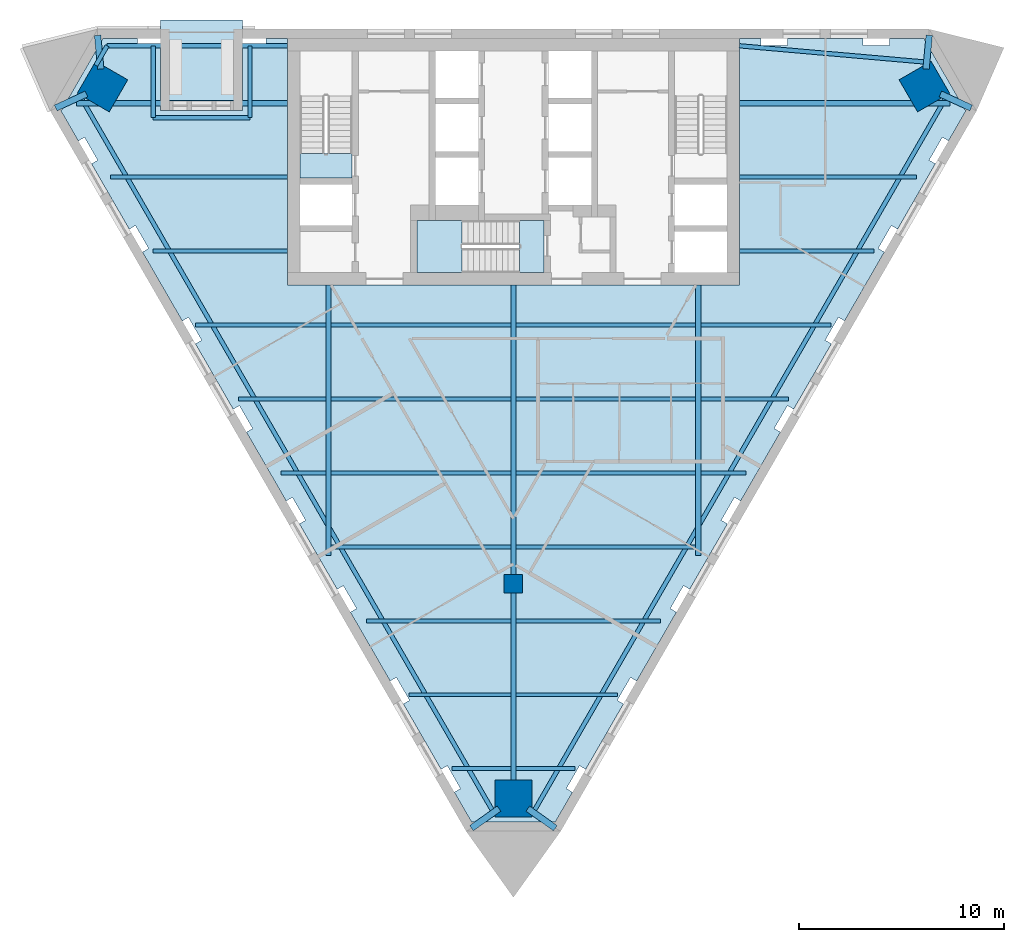
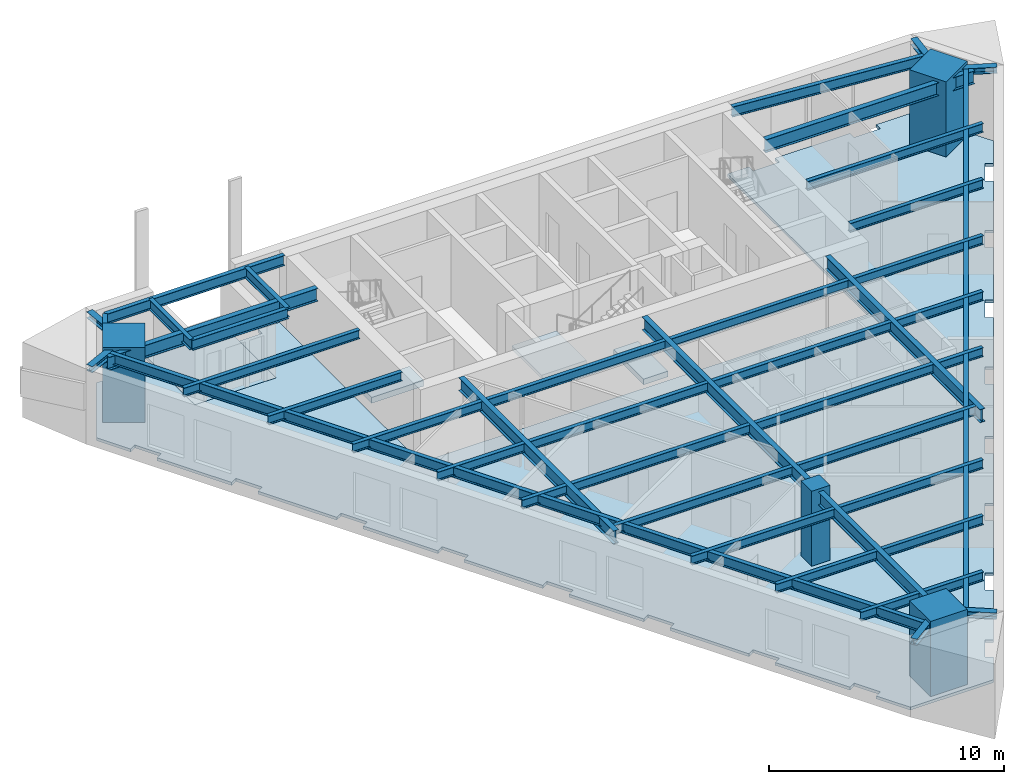
# One storey, part 1 of 8: 44 beams, 5 slabs, 4 columns, 1 element without a shape of its own.
"""IFC4 building model written with IfcOpenShell, lengths in metres."""

import ifcopenshell
import ifcopenshell.guid

model = None  # the IFC model being written
_history = None  # IfcOwnerHistory: only IFC2X3 demands one
_inside = {}  # id of a spatial element -> (the spatial element, [elements in it])
_under = {}  # id of a project, library or spatial element -> (it, [spatial elements below it])
_declared = {}  # id of a project -> (the project, [libraries it declares])
_typed = {}  # id of a type object -> (the type object, [elements of that type])
_made_of = {}  # id of a material, layer set ... -> (it, [elements and type objects made of it])


def new_model(schema):
    """Start an empty IFC model of exactly this schema.

    Asked for "IFC4X3", IfcOpenShell would pick the latest addendum, in which some entities
    have other attributes; the version numbers below select the first issue.
    IFC2X3 requires an IfcOwnerHistory on every rooted entity: one is made here for all.
    """
    global model, _history
    if schema == "IFC4X3":
        model = ifcopenshell.file(schema_version=(4, 3, 0, 0))
    else:
        model = ifcopenshell.file(schema=schema)
    _inside.clear()
    _under.clear()
    _declared.clear()
    _typed.clear()
    _made_of.clear()
    _history = None
    if model.schema == "IFC2X3":
        org = make("IfcOrganization", Name="unknown")
        user = make(
            "IfcPersonAndOrganization",
            ThePerson=make("IfcPerson", FamilyName="unknown"),
            TheOrganization=org,
        )
        app = make(
            "IfcApplication",
            ApplicationDeveloper=org,
            Version="unknown",
            ApplicationFullName="unknown",
            ApplicationIdentifier="unknown",
        )
        _history = make(
            "IfcOwnerHistory",
            OwningUser=user,
            OwningApplication=app,
            ChangeAction="ADDED",
            CreationDate=0,
        )
    return model


def make(cls, **values):
    """One entity of the class cls with the attributes given. An attribute that is None is left unset."""
    return model.create_entity(
        cls, **{name: value for name, value in values.items() if value is not None}
    )


def rooted(cls, **values):
    """An entity with a GlobalId (a new one), such as an element, a storey or a relation."""
    return make(cls, GlobalId=ifcopenshell.guid.new(), OwnerHistory=_history, **values)


def si_unit(unit_type, name, prefix=None):
    """IfcSIUnit, for example si_unit("LENGTHUNIT", "METRE", prefix="MILLI")."""
    return make("IfcSIUnit", UnitType=unit_type, Prefix=prefix, Name=name)


def assignment(units):
    """IfcUnitAssignment: the units of a project."""
    return None if units is None else make("IfcUnitAssignment", Units=units)


def point(xyz):
    """IfcCartesianPoint."""
    return None if xyz is None else make("IfcCartesianPoint", Coordinates=xyz)


def direction(xyz):
    """IfcDirection."""
    return None if xyz is None else make("IfcDirection", DirectionRatios=xyz)


def frame(location, z_axis=None, x_axis=None):
    """IfcAxis2Placement3D, a coordinate frame: its origin and axes. An axis left out is left unset."""
    return make(
        "IfcAxis2Placement3D",
        Location=point(location),
        Axis=direction(z_axis),
        RefDirection=direction(x_axis),
    )


def frame_2d(location, x_axis=None):
    """IfcAxis2Placement2D, a coordinate frame in the plane: its origin and x axis."""
    return make(
        "IfcAxis2Placement2D", Location=point(location), RefDirection=direction(x_axis)
    )


def origin():
    """The frame at (0, 0, 0) with its axes left unset."""
    return frame((0.0, 0.0, 0.0))


def origin_2d():
    """The frame at (0, 0) in the plane with its x axis left unset."""
    return frame_2d((0.0, 0.0))


def place(relative_to, where):
    """IfcLocalPlacement: puts the frame where relative to a parent placement (None: the world)."""
    return make(
        "IfcLocalPlacement", PlacementRelTo=relative_to, RelativePlacement=where
    )


def context(
    kind, dimensions, precision=None, world=None, true_north=None, identifier=None
):
    """IfcGeometricRepresentationContext, for example the 3D "Model" context."""
    return make(
        "IfcGeometricRepresentationContext",
        ContextIdentifier=identifier,
        ContextType=kind,
        CoordinateSpaceDimension=dimensions,
        Precision=precision,
        WorldCoordinateSystem=world,
        TrueNorth=true_north,
    )


def subcontext(parent, identifier, kind, view, scale=None):
    """IfcGeometricRepresentationSubContext, for example "Body" below "Model"."""
    return make(
        "IfcGeometricRepresentationSubContext",
        ContextIdentifier=identifier,
        ContextType=kind,
        ParentContext=parent,
        TargetScale=scale,
        TargetView=view,
    )


def project(units=None, contexts=None):
    """IfcProject with its units and contexts."""
    return rooted(
        "IfcProject",
        Name="project",
        RepresentationContexts=contexts,
        UnitsInContext=assignment(units),
    )


def spatial(cls, under=None, at=None, **own):
    """A site, building, storey or space (cls), placed at a placement, below another one or the project."""
    s = rooted(cls, ObjectPlacement=at, **own)
    if under is not None:
        _under.setdefault(under.id(), (under, []))[1].append(s)
    return s


def polyline(points):
    """IfcPolyline through the points."""
    return make("IfcPolyline", Points=[point(p) for p in points])


def profile(cls, at=None, kind="AREA", **sizes):
    """A parametric profile (cls). Its sizes go by their IFC names, for example OverallWidth=200.0."""
    return make(cls, ProfileType=kind, Position=at, **sizes)


def rectangle(**sizes):
    """IfcRectangleProfileDef."""
    return profile("IfcRectangleProfileDef", **sizes)


def i_section(**sizes):
    """IfcIShapeProfileDef."""
    return profile("IfcIShapeProfileDef", **sizes)


def outline(outer, holes=None, kind="AREA"):
    """IfcArbitraryClosedProfileDef: a profile drawn as a closed curve; with holes, ...WithVoids."""
    if holes is None:
        return make("IfcArbitraryClosedProfileDef", ProfileType=kind, OuterCurve=outer)
    return make(
        "IfcArbitraryProfileDefWithVoids",
        ProfileType=kind,
        OuterCurve=outer,
        InnerCurves=holes,
    )


def extrude(swept, where, along, depth):
    """IfcExtrudedAreaSolid: the profile swept, set in the frame where, extruded along a direction by depth."""
    return make(
        "IfcExtrudedAreaSolid",
        SweptArea=swept,
        Position=where,
        ExtrudedDirection=direction(along),
        Depth=depth,
    )


def shape(context_of_items, identifier, shape_type, items):
    """IfcShapeRepresentation: the items that make up one representation, for example the "Body"."""
    return make(
        "IfcShapeRepresentation",
        ContextOfItems=context_of_items,
        RepresentationIdentifier=identifier,
        RepresentationType=shape_type,
        Items=items,
    )


def material(Name=None, Category=None):
    """IfcMaterial."""
    return make("IfcMaterial", Name=Name, Category=Category)


def layer(
    of_material, thickness, ventilated=None, Name=None, Category=None, Priority=None
):
    """IfcMaterialLayer: one layer of a wall or slab, of a material (None: an air gap)."""
    return make(
        "IfcMaterialLayer",
        Material=of_material,
        LayerThickness=thickness,
        IsVentilated=ventilated,
        Name=Name,
        Category=Category,
        Priority=Priority,
    )


def layer_set(layers, Name=None):
    """IfcMaterialLayerSet."""
    return make("IfcMaterialLayerSet", MaterialLayers=layers, LayerSetName=Name)


def material_profile(
    of_material, cross_section, Name=None, Category=None, Priority=None
):
    """IfcMaterialProfile: a cross section and its material."""
    return make(
        "IfcMaterialProfile",
        Name=Name,
        Material=of_material,
        Profile=cross_section,
        Priority=Priority,
        Category=Category,
    )


def profile_set(profiles, Name=None, composite=None):
    """IfcMaterialProfileSet."""
    return make(
        "IfcMaterialProfileSet",
        Name=Name,
        MaterialProfiles=profiles,
        CompositeProfile=composite,
    )


def made_of(thing, what):
    """Note that an element or type object is made of a material, layer set ...; save() writes the relation."""
    if what is not None:
        _made_of.setdefault(what.id(), (what, []))[1].append(thing)
    return thing


def type_object(cls, material=None, **own):
    """A type object (cls), such as IfcWallType, which elements share."""
    return made_of(rooted(cls, **own), material)


def element(
    cls,
    number,
    at=None,
    inside=None,
    cuts=None,
    type_object=None,
    material=None,
    context=None,
    identifier="Body",
    shape_type=None,
    held_by="IfcProductDefinitionShape",
    body=None,
    shapes=None,
    **own,
):
    """One element of the class cls, such as IfcWall. Its Tag is "e" and its number.

    at: its placement. inside: the storey or other place that contains it. cuts: it is an
    opening in that element (IfcRelVoidsElement). A single representation is given by context,
    identifier, shape_type and body (its items); several are given by shapes. held_by: the class
    of the entity that holds the representations. save() writes the other relations.
    """
    e = rooted(cls, Tag="e%d" % number, ObjectPlacement=at, **own)
    if body is not None:
        shapes = [shape(context, identifier, shape_type, body)]
    if shapes is not None:
        e.Representation = make(held_by, Representations=shapes)
    if inside is not None:
        _inside.setdefault(inside.id(), (inside, []))[1].append(e)
    if cuts is not None:
        rooted(
            "IfcRelVoidsElement", RelatingBuildingElement=cuts, RelatedOpeningElement=e
        )
    if type_object is not None:
        _typed.setdefault(type_object.id(), (type_object, []))[1].append(e)
    return made_of(e, material)


def aggregate(whole, parts):
    """IfcRelAggregates: a whole, such as a stair, and the parts it consists of."""
    return rooted("IfcRelAggregates", RelatingObject=whole, RelatedObjects=parts)


def save(model, path):
    """Write the relations noted so far, then the file.

    IfcRelAggregates (storeys below a building ...), IfcRelContainedInSpatialStructure (elements
    in a storey), IfcRelDefinesByType, IfcRelAssociatesMaterial and IfcRelDeclares: one each for
    every whole, place, type object, material and project.
    """
    for whole, parts in _under.values():
        aggregate(whole, parts)
    for where, things in _inside.values():
        rooted(
            "IfcRelContainedInSpatialStructure",
            RelatedElements=things,
            RelatingStructure=where,
        )
    for kind, things in _typed.values():
        rooted("IfcRelDefinesByType", RelatedObjects=things, RelatingType=kind)
    for what, things in _made_of.values():
        rooted("IfcRelAssociatesMaterial", RelatedObjects=things, RelatingMaterial=what)
    for by, libraries in _declared.values():
        rooted("IfcRelDeclares", RelatingContext=by, RelatedDefinitions=libraries)
    model.write(path)


model = new_model("IFC4")

# Units and contexts
model_context = context("Model", 3, precision=1e-05, world=origin(), true_north=direction((0.0, 1.0)))
body_context = subcontext(model_context, "Body", "Model", "MODEL_VIEW")
ifc_project = project(units=[si_unit("LENGTHUNIT", "METRE"), si_unit("AREAUNIT", "SQUARE_METRE"), si_unit("VOLUMEUNIT", "CUBIC_METRE"), si_unit("PLANEANGLEUNIT", "RADIAN"), si_unit("MASSUNIT", "GRAM", prefix="KILO")], contexts=[model_context])

# Site, building, storey
site_placement = place(None, origin())
site = spatial("IfcSite", under=ifc_project, at=site_placement, CompositionType="ELEMENT")
building_placement = place(site_placement, origin())
building = spatial("IfcBuilding", under=site, at=building_placement, Name="Aloe Facet Convention Tower", CompositionType="ELEMENT")
storey_placement = place(building_placement, frame((0.0, 0.0, 140.300048828125)))
storey = spatial("IfcBuildingStorey", under=building, at=storey_placement, Name="L35", CompositionType="ELEMENT", Elevation=140.300048828125)

# Columns
ifc_material_1 = material(Name="Concrete C70/85", Category="concrete")
ifc_material_profile_1 = material_profile(ifc_material_1, rectangle(XDim=0.89990234375, YDim=0.89990234375, at=origin_2d()), Name="SF-GC-Z3")
ifc_profile_set_1 = profile_set([ifc_material_profile_1], Name="Concrete C70/85")
column_type_1 = type_object("IfcColumnType", Name="SF-GC-Z3", PredefinedType="COLUMN", material=ifc_profile_set_1)
column_placement = place(storey_placement, frame((80.0, 108.0, 0.0), z_axis=(0.0, 0.0, 1.0), x_axis=(1.0, 0.0, 0.0)))
element("IfcColumn", 1, at=column_placement, inside=storey, type_object=column_type_1, Name="Gravity column GC-Z3-9D", PredefinedType="COLUMN", context=body_context, shape_type="SweptSolid", body=[
    extrude(rectangle(XDim=0.89990234375, YDim=0.89990234375, at=origin_2d()), origin(), (0.0, 0.0, 1.0), 3.89990234375),
])
ifc_material_2 = material(Name="Concrete C80/95", Category="concrete")
ifc_material_profile_2 = material_profile(ifc_material_2, rectangle(XDim=1.800048828125, YDim=1.800048828125, at=origin_2d()), Name="STW-MC-Z3")
ifc_profile_set_2 = profile_set([ifc_material_profile_2], Name="Concrete C80/95")
column_type_2 = type_object("IfcColumnType", Name="STW-MC-Z3", PredefinedType="COLUMN", material=ifc_profile_set_2)
for number, where, z_axis, x_axis, name in (
    (2, (100.00732421875, 132.208251953125, 0.0), (0.0, 0.0, 1.0), (-0.5, 0.866025403784, 0.0), "Mega-column MC-NE-L35"),
    (3, (59.99267578125, 132.208251953125, 0.0), (0.0, 0.0, 1.0), (-0.5, -0.866025403784, 0.0), "Mega-column MC-NW-L35"),
    (4, (80.0, 97.55419921875, 0.0), (0.0, 0.0, 1.0), (1.0, 0.0, 0.0), "Mega-column MC-S-L35"),
):
    element("IfcColumn", number, at=place(storey_placement, frame(where, z_axis=z_axis, x_axis=x_axis)), inside=storey, type_object=column_type_2, Name=name, PredefinedType="COLUMN", context=body_context, shape_type="SweptSolid", body=[
        extrude(rectangle(XDim=1.800048828125, YDim=1.800048828125, at=origin_2d()), origin(), (0.0, 0.0, 1.0), 3.89990234375),
    ])

# Beams
ifc_material_3 = material(Name="Steel S355", Category="steel")
ifc_material_profile_3 = material_profile(ifc_material_3, i_section(OverallWidth=0.19140625, OverallDepth=0.4599609375, WebThickness=0.010009765625, FlangeThickness=0.01611328125, FilletRadius=0.01025390625, at=origin_2d()), Name="UB 457x191x82")
ifc_profile_set_3 = profile_set([ifc_material_profile_3], Name="Steel S355")
beam_type_1 = type_object("IfcBeamType", Name="SF-B-UB457x191x82", PredefinedType="BEAM", material=ifc_profile_set_3)
beam_1_placement = place(storey_placement, frame((60.373779296875, 127.800048828125, 3.52001953125), z_axis=(1.0, 0.0, 0.0), x_axis=(0.0, 1.0, 0.0)))
element("IfcBeam", 5, at=beam_1_placement, inside=storey, type_object=beam_type_1, Name="Floor beam FB-Z3E-015", PredefinedType="BEAM", context=body_context, shape_type="SweptSolid", body=[
    extrude(i_section(OverallWidth=0.19140625, OverallDepth=0.4599609375, WebThickness=0.010009765625, FlangeThickness=0.01611328125, FilletRadius=0.01025390625, at=origin_2d()), origin(), (0.0, 0.0, 1.0), 8.626220703125),
])
beam_2_placement = place(storey_placement, frame((62.452392578125, 124.199951171875, 3.52001953125), z_axis=(1.0, 0.0, 0.0), x_axis=(0.0, 1.0, 0.0)))
element("IfcBeam", 6, at=beam_2_placement, inside=storey, type_object=beam_type_1, Name="Floor beam FB-Z3E-016", PredefinedType="BEAM", context=body_context, shape_type="SweptSolid", body=[
    extrude(i_section(OverallWidth=0.19140625, OverallDepth=0.4599609375, WebThickness=0.010009765625, FlangeThickness=0.01611328125, FilletRadius=0.01025390625, at=origin_2d()), origin(), (0.0, 0.0, 1.0), 6.547607421875),
])
beam_3_placement = place(storey_placement, frame((64.53076171875, 120.60009765625, 3.52001953125), z_axis=(1.0, 0.0, 0.0), x_axis=(0.0, 1.0, 0.0)))
element("IfcBeam", 7, at=beam_3_placement, inside=storey, type_object=beam_type_1, Name="Floor beam FB-Z3E-017", PredefinedType="BEAM", context=body_context, shape_type="SweptSolid", body=[
    extrude(i_section(OverallWidth=0.19140625, OverallDepth=0.4599609375, WebThickness=0.010009765625, FlangeThickness=0.01611328125, FilletRadius=0.01025390625, at=origin_2d()), origin(), (0.0, 0.0, 1.0), 6.3427734375),
])
beam_4_placement = place(storey_placement, frame((66.609130859375, 117.0, 3.52001953125), z_axis=(1.0, 0.0, 0.0), x_axis=(0.0, 1.0, 0.0)))
element("IfcBeam", 8, at=beam_4_placement, inside=storey, type_object=beam_type_1, Name="Floor beam FB-Z3E-018", PredefinedType="BEAM", context=body_context, shape_type="SweptSolid", body=[
    extrude(i_section(OverallWidth=0.19140625, OverallDepth=0.4599609375, WebThickness=0.010009765625, FlangeThickness=0.01611328125, FilletRadius=0.01025390625, at=origin_2d()), origin(), (0.0, 0.0, 1.0), 4.264404296875),
])
beam_5_placement = place(storey_placement, frame((68.687744140625, 113.39990234375, 3.52001953125), z_axis=(1.0, 0.0, 0.0), x_axis=(0.0, 1.0, 0.0)))
element("IfcBeam", 9, at=beam_5_placement, inside=storey, type_object=beam_type_1, Name="Floor beam FB-Z3E-019", PredefinedType="BEAM", context=body_context, shape_type="SweptSolid", body=[
    extrude(i_section(OverallWidth=0.19140625, OverallDepth=0.4599609375, WebThickness=0.010009765625, FlangeThickness=0.01611328125, FilletRadius=0.01025390625, at=origin_2d()), origin(), (0.0, 0.0, 1.0), 2.185791015625),
])
for number, where, z_axis, x_axis, name in (
    (10, (71.12646484375, 109.800048828125, 3.52001953125), (1.0, 0.0, 0.0), (0.0, 1.0, 0.0), "Floor beam FB-Z3E-020"),
    (11, (71.12646484375, 113.39990234375, 3.52001953125), (1.0, 0.0, 0.0), (0.0, 1.0, 0.0), "Floor beam FB-Z3E-021"),
    (12, (71.12646484375, 117.0, 3.52001953125), (1.0, 0.0, 0.0), (0.0, 1.0, 0.0), "Floor beam FB-Z3E-022"),
    (13, (71.12646484375, 120.60009765625, 3.52001953125), (1.0, 0.0, 0.0), (0.0, 1.0, 0.0), "Floor beam FB-Z3E-023"),
):
    element("IfcBeam", number, at=place(storey_placement, frame(where, z_axis=z_axis, x_axis=x_axis)), inside=storey, type_object=beam_type_1, Name=name, PredefinedType="BEAM", context=body_context, shape_type="SweptSolid", body=[
        extrude(i_section(OverallWidth=0.19140625, OverallDepth=0.4599609375, WebThickness=0.010009765625, FlangeThickness=0.01611328125, FilletRadius=0.01025390625, at=origin_2d()), origin(), (0.0, 0.0, 1.0), 8.7470703125),
    ])
beam_6_placement = place(storey_placement, frame((72.844482421875, 106.199951171875, 3.52001953125), z_axis=(1.0, 0.0, 0.0), x_axis=(0.0, 1.0, 0.0)))
element("IfcBeam", 14, at=beam_6_placement, inside=storey, type_object=beam_type_1, Name="Floor beam FB-Z3E-024", PredefinedType="BEAM", context=body_context, shape_type="SweptSolid", body=[
    extrude(i_section(OverallWidth=0.19140625, OverallDepth=0.4599609375, WebThickness=0.010009765625, FlangeThickness=0.01611328125, FilletRadius=0.01025390625, at=origin_2d()), origin(), (0.0, 0.0, 1.0), 7.029052734375),
])
beam_7_placement = place(storey_placement, frame((74.923095703125, 102.60009765625, 3.52001953125), z_axis=(1.0, 0.0, 0.0), x_axis=(0.0, 1.0, 0.0)))
element("IfcBeam", 15, at=beam_7_placement, inside=storey, type_object=beam_type_1, Name="Floor beam FB-Z3E-025", PredefinedType="BEAM", context=body_context, shape_type="SweptSolid", body=[
    extrude(i_section(OverallWidth=0.19140625, OverallDepth=0.4599609375, WebThickness=0.010009765625, FlangeThickness=0.01611328125, FilletRadius=0.01025390625, at=origin_2d()), origin(), (0.0, 0.0, 1.0), 4.950439453125),
])
for number, where, z_axis, x_axis, name in (
    (16, (77.00146484375, 99.0, 3.52001953125), (1.0, 0.0, 0.0), (0.0, 1.0, 0.0), "Floor beam FB-Z3E-026"),
    (17, (80.12646484375, 99.0, 3.52001953125), (1.0, 0.0, 0.0), (0.0, 1.0, 0.0), "Floor beam FB-Z3E-027"),
):
    element("IfcBeam", number, at=place(storey_placement, frame(where, z_axis=z_axis, x_axis=x_axis)), inside=storey, type_object=beam_type_1, Name=name, PredefinedType="BEAM", context=body_context, shape_type="SweptSolid", body=[
        extrude(i_section(OverallWidth=0.19140625, OverallDepth=0.4599609375, WebThickness=0.010009765625, FlangeThickness=0.01611328125, FilletRadius=0.01025390625, at=origin_2d()), origin(), (0.0, 0.0, 1.0), 2.8720703125),
    ])
beam_8_placement = place(storey_placement, frame((80.12646484375, 102.60009765625, 3.52001953125), z_axis=(1.0, 0.0, 0.0), x_axis=(0.0, 1.0, 0.0)))
element("IfcBeam", 18, at=beam_8_placement, inside=storey, type_object=beam_type_1, Name="Floor beam FB-Z3E-028", PredefinedType="BEAM", context=body_context, shape_type="SweptSolid", body=[
    extrude(i_section(OverallWidth=0.19140625, OverallDepth=0.4599609375, WebThickness=0.010009765625, FlangeThickness=0.01611328125, FilletRadius=0.01025390625, at=origin_2d()), origin(), (0.0, 0.0, 1.0), 4.950439453125),
])
beam_9_placement = place(storey_placement, frame((80.12646484375, 106.199951171875, 3.52001953125), z_axis=(1.0, 0.0, 0.0), x_axis=(0.0, 1.0, 0.0)))
element("IfcBeam", 19, at=beam_9_placement, inside=storey, type_object=beam_type_1, Name="Floor beam FB-Z3E-029", PredefinedType="BEAM", context=body_context, shape_type="SweptSolid", body=[
    extrude(i_section(OverallWidth=0.19140625, OverallDepth=0.4599609375, WebThickness=0.010009765625, FlangeThickness=0.01611328125, FilletRadius=0.01025390625, at=origin_2d()), origin(), (0.0, 0.0, 1.0), 7.029052734375),
])
for number, where, z_axis, x_axis, name in (
    (20, (80.12646484375, 109.800048828125, 3.52001953125), (1.0, 0.0, 0.0), (0.0, 1.0, 0.0), "Floor beam FB-Z3E-030"),
    (21, (80.12646484375, 113.39990234375, 3.52001953125), (1.0, 0.0, 0.0), (0.0, 1.0, 0.0), "Floor beam FB-Z3E-031"),
    (22, (80.12646484375, 117.0, 3.52001953125), (1.0, 0.0, 0.0), (0.0, 1.0, 0.0), "Floor beam FB-Z3E-032"),
    (23, (80.12646484375, 120.60009765625, 3.52001953125), (1.0, 0.0, 0.0), (0.0, 1.0, 0.0), "Floor beam FB-Z3E-033"),
):
    element("IfcBeam", number, at=place(storey_placement, frame(where, z_axis=z_axis, x_axis=x_axis)), inside=storey, type_object=beam_type_1, Name=name, PredefinedType="BEAM", context=body_context, shape_type="SweptSolid", body=[
        extrude(i_section(OverallWidth=0.19140625, OverallDepth=0.4599609375, WebThickness=0.010009765625, FlangeThickness=0.01611328125, FilletRadius=0.01025390625, at=origin_2d()), origin(), (0.0, 0.0, 1.0), 8.7470703125),
    ])
beam_10_placement = place(storey_placement, frame((89.12646484375, 113.39990234375, 3.52001953125), z_axis=(1.0, 0.0, 0.0), x_axis=(0.0, 1.0, 0.0)))
element("IfcBeam", 24, at=beam_10_placement, inside=storey, type_object=beam_type_1, Name="Floor beam FB-Z3E-034", PredefinedType="BEAM", context=body_context, shape_type="SweptSolid", body=[
    extrude(i_section(OverallWidth=0.19140625, OverallDepth=0.4599609375, WebThickness=0.010009765625, FlangeThickness=0.01611328125, FilletRadius=0.01025390625, at=origin_2d()), origin(), (0.0, 0.0, 1.0), 2.185791015625),
])
beam_11_placement = place(storey_placement, frame((89.12646484375, 117.0, 3.52001953125), z_axis=(1.0, 0.0, 0.0), x_axis=(0.0, 1.0, 0.0)))
element("IfcBeam", 25, at=beam_11_placement, inside=storey, type_object=beam_type_1, Name="Floor beam FB-Z3E-035", PredefinedType="BEAM", context=body_context, shape_type="SweptSolid", body=[
    extrude(i_section(OverallWidth=0.19140625, OverallDepth=0.4599609375, WebThickness=0.010009765625, FlangeThickness=0.01611328125, FilletRadius=0.01025390625, at=origin_2d()), origin(), (0.0, 0.0, 1.0), 4.264404296875),
])
beam_12_placement = place(storey_placement, frame((89.12646484375, 120.60009765625, 3.52001953125), z_axis=(1.0, 0.0, 0.0), x_axis=(0.0, 1.0, 0.0)))
element("IfcBeam", 26, at=beam_12_placement, inside=storey, type_object=beam_type_1, Name="Floor beam FB-Z3E-036", PredefinedType="BEAM", context=body_context, shape_type="SweptSolid", body=[
    extrude(i_section(OverallWidth=0.19140625, OverallDepth=0.4599609375, WebThickness=0.010009765625, FlangeThickness=0.01611328125, FilletRadius=0.01025390625, at=origin_2d()), origin(), (0.0, 0.0, 1.0), 6.3427734375),
])
beam_13_placement = place(storey_placement, frame((91.0, 124.199951171875, 3.52001953125), z_axis=(1.0, 0.0, 0.0), x_axis=(0.0, 1.0, 0.0)))
element("IfcBeam", 27, at=beam_13_placement, inside=storey, type_object=beam_type_1, Name="Floor beam FB-Z3E-037", PredefinedType="BEAM", context=body_context, shape_type="SweptSolid", body=[
    extrude(i_section(OverallWidth=0.19140625, OverallDepth=0.4599609375, WebThickness=0.010009765625, FlangeThickness=0.01611328125, FilletRadius=0.01025390625, at=origin_2d()), origin(), (0.0, 0.0, 1.0), 6.547607421875),
])
beam_14_placement = place(storey_placement, frame((91.0, 127.800048828125, 3.52001953125), z_axis=(1.0, 0.0, 0.0), x_axis=(0.0, 1.0, 0.0)))
element("IfcBeam", 28, at=beam_14_placement, inside=storey, type_object=beam_type_1, Name="Floor beam FB-Z3E-038", PredefinedType="BEAM", context=body_context, shape_type="SweptSolid", body=[
    extrude(i_section(OverallWidth=0.19140625, OverallDepth=0.4599609375, WebThickness=0.010009765625, FlangeThickness=0.01611328125, FilletRadius=0.01025390625, at=origin_2d()), origin(), (0.0, 0.0, 1.0), 8.626220703125),
])
ifc_material_4 = material(Name="Steel S355", Category="steel")
ifc_material_profile_4 = material_profile(ifc_material_4, i_section(OverallWidth=0.209228515625, OverallDepth=0.533203125, WebThickness=0.010009765625, FlangeThickness=0.015625, FilletRadius=0.0126953125, at=origin_2d()), Name="UB 533x210x92")
ifc_profile_set_4 = profile_set([ifc_material_profile_4], Name="Steel S355")
beam_type_2 = type_object("IfcBeamType", Name="SF-B-UB533x210x92", PredefinedType="BEAM", material=ifc_profile_set_4)
beam_15_placement = place(storey_placement, frame((59.67138671875, 133.24267578125, 3.4833984375), z_axis=(0.50002983664, 0.866008176907, 0.0), x_axis=(-0.866008176907, 0.50002983664, 0.0)))
element("IfcBeam", 29, at=beam_15_placement, inside=storey, type_object=beam_type_2, Name="Floor beam FB-Z3E-001", PredefinedType="BEAM", context=body_context, shape_type="SweptSolid", body=[
    extrude(i_section(OverallWidth=0.209228515625, OverallDepth=0.533203125, WebThickness=0.010009765625, FlangeThickness=0.015625, FilletRadius=0.0126953125, at=origin_2d()), origin(), (0.0, 0.0, 1.0), 1.10009765625),
])
beam_16_placement = place(storey_placement, frame((60.221435546875, 134.1953125, 3.4833984375), z_axis=(1.0, 0.0, 0.0), x_axis=(0.0, 1.0, 0.0)))
element("IfcBeam", 30, at=beam_16_placement, inside=storey, type_object=beam_type_2, Name="Floor beam FB-Z3E-002", PredefinedType="BEAM", context=body_context, shape_type="SweptSolid", body=[
    extrude(i_section(OverallWidth=0.209228515625, OverallDepth=0.533203125, WebThickness=0.010009765625, FlangeThickness=0.015625, FilletRadius=0.0126953125, at=origin_2d()), origin(), (0.0, 0.0, 1.0), 8.778564453125),
])
beam_17_placement = place(storey_placement, frame((62.462890625, 130.6953125, 3.4833984375), z_axis=(1.0, 0.0, 0.0), x_axis=(0.0, 1.0, 0.0)))
element("IfcBeam", 31, at=beam_17_placement, inside=storey, type_object=beam_type_2, Name="Floor beam FB-Z3E-003", PredefinedType="BEAM", context=body_context, shape_type="SweptSolid", body=[
    extrude(i_section(OverallWidth=0.209228515625, OverallDepth=0.533203125, WebThickness=0.010009765625, FlangeThickness=0.015625, FilletRadius=0.0126953125, at=origin_2d()), origin(), (0.0, 0.0, 1.0), 4.70947265625),
])
for number, where, z_axis, x_axis, name in (
    (32, (62.462890625, 134.1953125, 3.4833984375), (0.0, -1.0, 0.0), (1.0, 0.0, 0.0), "Floor beam FB-Z3E-004"),
    (33, (67.17236328125, 130.6953125, 3.4833984375), (0.0, 1.0, 0.0), (-1.0, 0.0, 0.0), "Floor beam FB-Z3E-005"),
):
    element("IfcBeam", number, at=place(storey_placement, frame(where, z_axis=z_axis, x_axis=x_axis)), inside=storey, type_object=beam_type_2, Name=name, PredefinedType="BEAM", context=body_context, shape_type="SweptSolid", body=[
        extrude(i_section(OverallWidth=0.209228515625, OverallDepth=0.533203125, WebThickness=0.010009765625, FlangeThickness=0.015625, FilletRadius=0.0126953125, at=origin_2d()), origin(), (0.0, 0.0, 1.0), 3.5),
    ])
beam_18_placement = place(storey_placement, frame((79.10009765625, 96.7587890625, 3.4833984375), z_axis=(-0.500000630289, 0.866025039887, 0.0), x_axis=(-0.866025039887, -0.500000630289, 0.0)))
element("IfcBeam", 34, at=beam_18_placement, inside=storey, type_object=beam_type_2, Name="Floor beam FB-Z3E-006", PredefinedType="BEAM", context=body_context, shape_type="SweptSolid", body=[
    extrude(i_section(OverallWidth=0.209228515625, OverallDepth=0.533203125, WebThickness=0.010009765625, FlangeThickness=0.015625, FilletRadius=0.0126953125, at=origin_2d()), origin(), (0.0, 0.0, 1.0), 40.49267578125),
])
beam_19_placement = place(storey_placement, frame((100.24609375, 133.38525390625, 3.4833984375), z_axis=(-0.996184118201, 0.087276587035, 0.0), x_axis=(-0.087276587035, -0.996184118201, 0.0)))
element("IfcBeam", 35, at=beam_19_placement, inside=storey, type_object=beam_type_2, Name="Floor beam FB-Z3E-007", PredefinedType="BEAM", context=body_context, shape_type="SweptSolid", body=[
    extrude(i_section(OverallWidth=0.209228515625, OverallDepth=0.533203125, WebThickness=0.010009765625, FlangeThickness=0.015625, FilletRadius=0.0126953125, at=origin_2d()), origin(), (0.0, 0.0, 1.0), 9.281494140625),
])
beam_20_placement = place(storey_placement, frame((101.146240234375, 131.826416015625, 3.4833984375), z_axis=(-0.500000630289, -0.866025039887, 0.0), x_axis=(0.866025039887, -0.500000630289, 0.0)))
element("IfcBeam", 36, at=beam_20_placement, inside=storey, type_object=beam_type_2, Name="Floor beam FB-Z3E-008", PredefinedType="BEAM", context=body_context, shape_type="SweptSolid", body=[
    extrude(i_section(OverallWidth=0.209228515625, OverallDepth=0.533203125, WebThickness=0.010009765625, FlangeThickness=0.015625, FilletRadius=0.0126953125, at=origin_2d()), origin(), (0.0, 0.0, 1.0), 40.49267578125),
])
ifc_material_5 = material(Name="Steel S355", Category="steel")
ifc_material_profile_5 = material_profile(ifc_material_5, i_section(OverallWidth=0.2529296875, OverallDepth=0.677978515625, WebThickness=0.01171875, FlangeThickness=0.01611328125, FilletRadius=0.01513671875, at=origin_2d()), Name="UB 686x254x125")
ifc_profile_set_5 = profile_set([ifc_material_profile_5], Name="Steel S355")
beam_type_3 = type_object("IfcBeamType", Name="SF-B-UB686x254x125", PredefinedType="BEAM", material=ifc_profile_set_5)
beam_21_placement = place(storey_placement, frame((58.73828125, 131.39990234375, 3.410888671875), z_axis=(1.0, 0.0, 0.0), x_axis=(0.0, 1.0, 0.0)))
element("IfcBeam", 37, at=beam_21_placement, inside=storey, type_object=beam_type_3, Name="Floor beam FB-Z3E-009", PredefinedType="BEAM", context=body_context, shape_type="SweptSolid", body=[
    extrude(i_section(OverallWidth=0.2529296875, OverallDepth=0.677978515625, WebThickness=0.01171875, FlangeThickness=0.01611328125, FilletRadius=0.01513671875, at=origin_2d()), origin(), (0.0, 0.0, 1.0), 10.26171875),
])
beam_22_placement = place(storey_placement, frame((71.0, 122.550048828125, 3.410888671875), z_axis=(0.0, -1.0, 0.0), x_axis=(1.0, 0.0, 0.0)))
element("IfcBeam", 38, at=beam_22_placement, inside=storey, type_object=beam_type_3, Name="Floor beam FB-Z3E-010", PredefinedType="BEAM", context=body_context, shape_type="SweptSolid", body=[
    extrude(i_section(OverallWidth=0.2529296875, OverallDepth=0.677978515625, WebThickness=0.01171875, FlangeThickness=0.01611328125, FilletRadius=0.01513671875, at=origin_2d()), origin(), (0.0, 0.0, 1.0), 13.162353515625),
])
beam_23_placement = place(storey_placement, frame((80.0, 107.550048828125, 3.410888671875), z_axis=(0.0, -1.0, 0.0), x_axis=(1.0, 0.0, 0.0)))
element("IfcBeam", 39, at=beam_23_placement, inside=storey, type_object=beam_type_3, Name="Floor beam FB-Z3E-011", PredefinedType="BEAM", context=body_context, shape_type="SweptSolid", body=[
    extrude(i_section(OverallWidth=0.2529296875, OverallDepth=0.677978515625, WebThickness=0.01171875, FlangeThickness=0.01611328125, FilletRadius=0.01513671875, at=origin_2d()), origin(), (0.0, 0.0, 1.0), 10.676513671875),
])
beam_24_placement = place(storey_placement, frame((80.0, 122.550048828125, 3.410888671875), z_axis=(0.0, -1.0, 0.0), x_axis=(1.0, 0.0, 0.0)))
element("IfcBeam", 40, at=beam_24_placement, inside=storey, type_object=beam_type_3, Name="Floor beam FB-Z3E-012", PredefinedType="BEAM", context=body_context, shape_type="SweptSolid", body=[
    extrude(i_section(OverallWidth=0.2529296875, OverallDepth=0.677978515625, WebThickness=0.01171875, FlangeThickness=0.01611328125, FilletRadius=0.01513671875, at=origin_2d()), origin(), (0.0, 0.0, 1.0), 14.10009765625),
])
beam_25_placement = place(storey_placement, frame((89.0, 122.550048828125, 3.410888671875), z_axis=(0.0, -1.0, 0.0), x_axis=(1.0, 0.0, 0.0)))
element("IfcBeam", 41, at=beam_25_placement, inside=storey, type_object=beam_type_3, Name="Floor beam FB-Z3E-013", PredefinedType="BEAM", context=body_context, shape_type="SweptSolid", body=[
    extrude(i_section(OverallWidth=0.2529296875, OverallDepth=0.677978515625, WebThickness=0.01171875, FlangeThickness=0.01611328125, FilletRadius=0.01513671875, at=origin_2d()), origin(), (0.0, 0.0, 1.0), 13.162353515625),
])
beam_26_placement = place(storey_placement, frame((91.0, 131.39990234375, 3.410888671875), z_axis=(1.0, 0.0, 0.0), x_axis=(0.0, 1.0, 0.0)))
element("IfcBeam", 42, at=beam_26_placement, inside=storey, type_object=beam_type_3, Name="Floor beam FB-Z3E-014", PredefinedType="BEAM", context=body_context, shape_type="SweptSolid", body=[
    extrude(i_section(OverallWidth=0.2529296875, OverallDepth=0.677978515625, WebThickness=0.01171875, FlangeThickness=0.01611328125, FilletRadius=0.01513671875, at=origin_2d()), origin(), (0.0, 0.0, 1.0), 10.26171875),
])
ifc_material_6 = material(Name="Steel S355", Category="steel")
ifc_material_profile_6 = material_profile(ifc_material_6, i_section(OverallWidth=0.311279296875, OverallDepth=0.3271484375, WebThickness=0.015869140625, FlangeThickness=0.02490234375, FilletRadius=0.01513671875, at=origin_2d()), Name="UC 305x305x158")
ifc_profile_set_6 = profile_set([ifc_material_profile_6], Name="Steel S355")
beam_type_4 = type_object("IfcBeamType", Name="STW-NT", PredefinedType="BEAM", material=ifc_profile_set_6)
for number, where, z_axis, x_axis, name in (
    (43, (100.2431640625, 134.699951171875, 3.58642578125), (-0.094150323286, -0.995557992598, 0.0), (0.995557992598, -0.094150323286, 0.0), "Lattice tie NT-Z3-F1-R2-01"),
    (44, (59.7568359375, 134.699951171875, 3.58642578125), (0.094150323286, -0.995557992598, 0.0), (0.995557992598, 0.094150323286, 0.0), "Lattice tie NT-Z3-F1-R2-05"),
    (45, (57.716796875, 131.166259765625, 3.58642578125), (0.909254559115, 0.416240491458, 0.0), (-0.416240491458, 0.909254559115, 0.0), "Lattice tie NT-Z3-F2-R2-01"),
):
    element("IfcBeam", number, at=place(storey_placement, frame(where, z_axis=z_axis, x_axis=x_axis)), inside=storey, type_object=beam_type_4, Name=name, PredefinedType="BEAM", context=body_context, shape_type="SweptSolid", body=[
        extrude(i_section(OverallWidth=0.311279296875, OverallDepth=0.3271484375, WebThickness=0.015869140625, FlangeThickness=0.02490234375, FilletRadius=0.01513671875, at=origin_2d()), origin(), (0.0, 0.0, 1.0), 1.64404296875),
    ])
for number, where, z_axis, x_axis, name in (
    (46, (77.959716796875, 96.104248046875, 3.58642578125), (0.815165648641, 0.579227904435, 0.0), (-0.579227904435, 0.815165648641, 0.0), "Lattice tie NT-Z3-F2-R2-05"),
    (47, (82.040283203125, 96.104248046875, 3.58642578125), (-0.815165648641, 0.579227904435, 0.0), (-0.579227904435, -0.815165648641, 0.0), "Lattice tie NT-Z3-F3-R2-01"),
):
    element("IfcBeam", number, at=place(storey_placement, frame(where, z_axis=z_axis, x_axis=x_axis)), inside=storey, type_object=beam_type_4, Name=name, PredefinedType="BEAM", context=body_context, shape_type="SweptSolid", body=[
        extrude(i_section(OverallWidth=0.311279296875, OverallDepth=0.3271484375, WebThickness=0.015869140625, FlangeThickness=0.02490234375, FilletRadius=0.01513671875, at=origin_2d()), origin(), (0.0, 0.0, 1.0), 1.644287109375),
    ])
beam_27_placement = place(storey_placement, frame((102.283203125, 131.166259765625, 3.58642578125), z_axis=(-0.909254559115, 0.416240491458, 0.0), x_axis=(-0.416240491458, -0.909254559115, 0.0)))
element("IfcBeam", 48, at=beam_27_placement, inside=storey, type_object=beam_type_4, Name="Lattice tie NT-Z3-F3-R2-05", PredefinedType="BEAM", context=body_context, shape_type="SweptSolid", body=[
    extrude(i_section(OverallWidth=0.311279296875, OverallDepth=0.3271484375, WebThickness=0.015869140625, FlangeThickness=0.02490234375, FilletRadius=0.01513671875, at=origin_2d()), origin(), (0.0, 0.0, 1.0), 1.64404296875),
])

# Slabs
ifc_material_7 = material(Name="Concrete C60/75", Category="concrete")
ifc_layer_1 = layer(ifc_material_7, 0.300048828125)
ifc_layer_set_1 = layer_set([ifc_layer_1], Name="CR-S-FLOOR300-C6075")
slab_type_1 = type_object("IfcSlabType", Name="CR-S-FLOOR300-C6075", PredefinedType="FLOOR", material=ifc_layer_set_1)
slab_1_placement = place(storey_placement, frame((0.0, 0.0, -0.300048828125)))
element("IfcSlab", 49, at=slab_1_placement, inside=storey, type_object=slab_type_1, Name="Stair landing floor L35", PredefinedType="FLOOR", context=body_context, shape_type="SweptSolid", body=[
    extrude(outline(polyline([(72.14990234375, 127.75), (72.14990234375, 128.951171875), (69.60009765625, 128.951171875), (69.60009765625, 127.75), (72.14990234375, 127.75)])), origin(), (0.0, 0.0, 1.0), 0.300048828125),
])
slab_2_placement = place(storey_placement, frame((0.0, 0.0, -0.300048828125)))
element("IfcSlab", 50, at=slab_2_placement, inside=storey, type_object=slab_type_1, Name="Stair landing floor L35", PredefinedType="FLOOR", context=body_context, shape_type="SweptSolid", body=[
    extrude(outline(polyline([(81.5, 125.699951171875), (80.298828125, 125.699951171875), (80.298828125, 123.14990234375), (81.5, 123.14990234375), (81.5, 125.699951171875)])), origin(), (0.0, 0.0, 1.0), 0.300048828125),
])

# Stair, slab
ifc_material_8 = material(Name="Concrete C50/60", Category="concrete")
stair_type = type_object("IfcStairType", Name="CR-ST-22R", PredefinedType="HALF_TURN_STAIR", material=ifc_material_8)
stair_placement = place(storey_placement, origin())
stair = element("IfcStair", 51, at=stair_placement, inside=storey, type_object=stair_type, Name="L35 Protected exit stair ST3", PredefinedType="HALF_TURN_STAIR")
ifc_material_9 = material(Name="Concrete C50/60", Category="concrete")
ifc_layer_2 = layer(ifc_material_9, 0.199951171875)
ifc_layer_set_2 = layer_set([ifc_layer_2], Name="CR-SL-LANDING")
slab_type_2 = type_object("IfcSlabType", Name="CR-SL-LANDING", PredefinedType="LANDING", material=ifc_layer_set_2)
slab_3_placement = place(storey_placement, frame((0.0, 0.0, 1.75)))
slab_3 = element("IfcSlab", 52, at=slab_3_placement, type_object=slab_type_2, Name="ST3 landing 1", PredefinedType="LANDING", context=body_context, shape_type="SweptSolid", body=[
    extrude(outline(polyline([(77.5, 125.699951171875), (75.300048828125, 125.699951171875), (75.300048828125, 123.14990234375), (77.5, 123.14990234375), (77.5, 125.699951171875)])), origin(), (0.0, 0.0, 1.0), 0.199951171875),
])
aggregate(stair, [slab_3])

# Slabs
ifc_material_10 = material(Name="Concrete C35/45", Category="concrete")
ifc_layer_3 = layer(ifc_material_10, 0.14990234375)
ifc_layer_set_3 = layer_set([ifc_layer_3], Name="SF-FS-150")
slab_type_3 = type_object("IfcSlabType", Name="SF-FS-150", PredefinedType="FLOOR", material=ifc_layer_set_3)
slab_4_placement = place(storey_placement, frame((0.0, 0.0, -0.150146484375)))
element("IfcSlab", 53, at=slab_4_placement, inside=storey, type_object=slab_type_3, Name="Floor slab L35-1", PredefinedType="FLOOR", context=body_context, shape_type="SweptSolid", body=[
    extrude(outline(polyline([(102.0234375, 131.016357421875), (101.186279296875, 129.566162109375), (100.883056640625, 129.7412109375), (100.23828125, 128.62451171875), (100.54150390625, 128.449462890625), (98.70458984375, 125.267578125), (98.4013671875, 125.442626953125), (97.756591796875, 124.325927734375), (98.059814453125, 124.15087890625), (96.12548828125, 120.800537109375), (95.822265625, 120.9755859375), (95.177490234375, 119.85888671875), (95.480712890625, 119.683837890625), (93.643798828125, 116.502197265625), (93.340576171875, 116.677001953125), (92.69580078125, 115.560546875), (92.9990234375, 115.385498046875), (91.064697265625, 112.03515625), (90.761474609375, 112.210205078125), (90.116943359375, 111.093505859375), (90.419921875, 110.91845703125), (88.5830078125, 107.736572265625), (88.27978515625, 107.91162109375), (87.635009765625, 106.794921875), (87.938232421875, 106.6201171875), (86.00390625, 103.26953125), (85.70068359375, 103.444580078125), (85.05615234375, 102.327880859375), (85.359130859375, 102.15283203125), (83.522216796875, 98.97119140625), (83.218994140625, 99.14599609375), (82.574462890625, 98.029541015625), (82.87744140625, 97.8544921875), (82.040283203125, 96.404296875), (77.959716796875, 96.404296875), (77.12255859375, 97.8544921875), (77.425537109375, 98.029541015625), (76.781005859375, 99.14599609375), (76.477783203125, 98.97119140625), (74.640869140625, 102.15283203125), (74.94384765625, 102.327880859375), (74.29931640625, 103.444580078125), (73.99609375, 103.26953125), (72.061767578125, 106.6201171875), (72.364990234375, 106.794921875), (71.72021484375, 107.91162109375), (71.4169921875, 107.736572265625), (69.580078125, 110.91845703125), (69.883056640625, 111.093505859375), (69.238525390625, 112.210205078125), (68.935302734375, 112.03515625), (67.0009765625, 115.385498046875), (67.30419921875, 115.560546875), (66.659423828125, 116.677001953125), (66.356201171875, 116.502197265625), (64.519287109375, 119.683837890625), (64.822509765625, 119.85888671875), (64.177734375, 120.9755859375), (63.87451171875, 120.800537109375), (61.940185546875, 124.15087890625), (62.243408203125, 124.325927734375), (61.5986328125, 125.442626953125), (61.29541015625, 125.267578125), (59.45849609375, 128.449462890625), (59.76171875, 128.62451171875), (59.116943359375, 129.7412109375), (58.813720703125, 129.566162109375), (57.9765625, 131.016357421875), (60.0166015625, 134.550048828125), (61.69140625, 134.550048828125), (61.69140625, 134.199951171875), (62.817626953125, 134.199951171875), (62.817626953125, 131.050048828125), (66.817626953125, 131.050048828125), (66.817626953125, 134.199951171875), (67.944091796875, 134.199951171875), (67.944091796875, 134.550048828125), (69.0, 134.550048828125), (69.0, 128.050048828125), (69.0, 127.14990234375), (69.0, 125.75), (69.0, 124.85009765625), (69.0, 122.550048828125), (71.85009765625, 122.550048828125), (72.75, 122.550048828125), (74.699951171875, 122.550048828125), (75.60009765625, 122.550048828125), (81.199951171875, 122.550048828125), (82.10009765625, 122.550048828125), (84.39990234375, 122.550048828125), (85.300048828125, 122.550048828125), (87.25, 122.550048828125), (88.14990234375, 122.550048828125), (91.0, 122.550048828125), (91.0, 124.85009765625), (91.0, 125.75), (91.0, 127.14990234375), (91.0, 128.050048828125), (91.0, 134.550048828125), (92.055908203125, 134.550048828125), (92.055908203125, 134.199951171875), (93.34521484375, 134.199951171875), (93.34521484375, 134.550048828125), (97.019287109375, 134.550048828125), (97.019287109375, 134.199951171875), (98.30859375, 134.199951171875), (98.30859375, 134.550048828125), (99.9833984375, 134.550048828125), (102.0234375, 131.016357421875)]), holes=[polyline([(80.89990234375, 96.654296875), (80.89990234375, 98.4541015625), (79.10009765625, 98.4541015625), (79.10009765625, 96.654296875), (80.89990234375, 96.654296875)]), polyline([(59.6630859375, 133.4375), (58.76318359375, 131.878662109375), (60.322021484375, 130.978759765625), (61.221923828125, 132.53759765625), (59.6630859375, 133.4375)]), polyline([(80.449951171875, 107.550048828125), (80.449951171875, 108.449951171875), (79.550048828125, 108.449951171875), (79.550048828125, 107.550048828125), (80.449951171875, 107.550048828125)]), polyline([(101.23681640625, 131.878662109375), (100.3369140625, 133.4375), (98.778076171875, 132.53759765625), (99.677978515625, 130.978759765625), (101.23681640625, 131.878662109375)])]), origin(), (0.0, 0.0, 1.0), 0.150146484375),
])
ifc_material_11 = material(Name="Concrete C35/45", Category="concrete")
ifc_layer_4 = layer(ifc_material_11, 0.14990234375)
ifc_layer_set_4 = layer_set([ifc_layer_4], Name="SF-TS-150")
slab_type_4 = type_object("IfcSlabType", Name="SF-TS-150", PredefinedType="FLOOR", material=ifc_layer_set_4)
slab_5_placement = place(storey_placement, frame((0.0, 0.0, -0.150146484375)))
element("IfcSlab", 54, at=slab_5_placement, inside=storey, type_object=slab_type_4, Name="Terrace slab T07", PredefinedType="FLOOR", context=body_context, shape_type="SweptSolid", body=[
    extrude(outline(polyline([(66.817626953125, 135.449951171875), (66.817626953125, 131.050048828125), (62.817626953125, 131.050048828125), (62.817626953125, 135.449951171875), (66.817626953125, 135.449951171875)])), origin(), (0.0, 0.0, 1.0), 0.150146484375),
])

save(model, "model.ifc")
